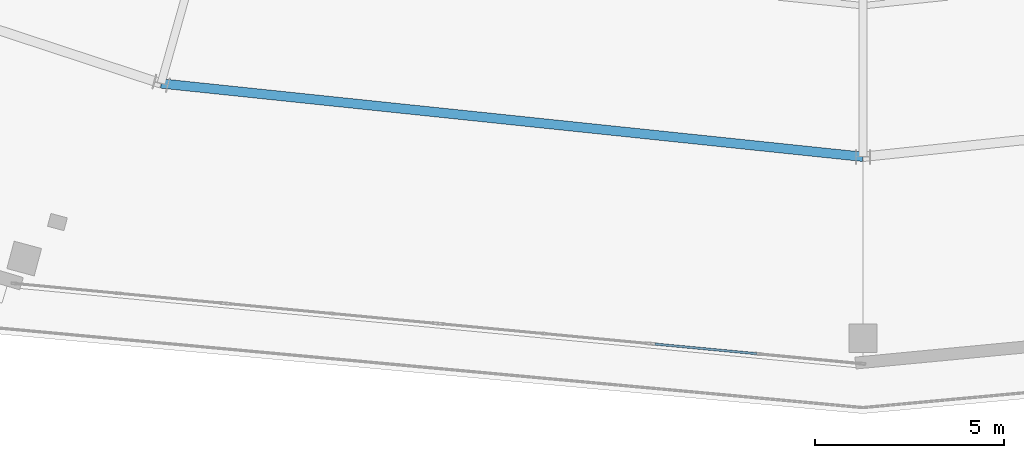
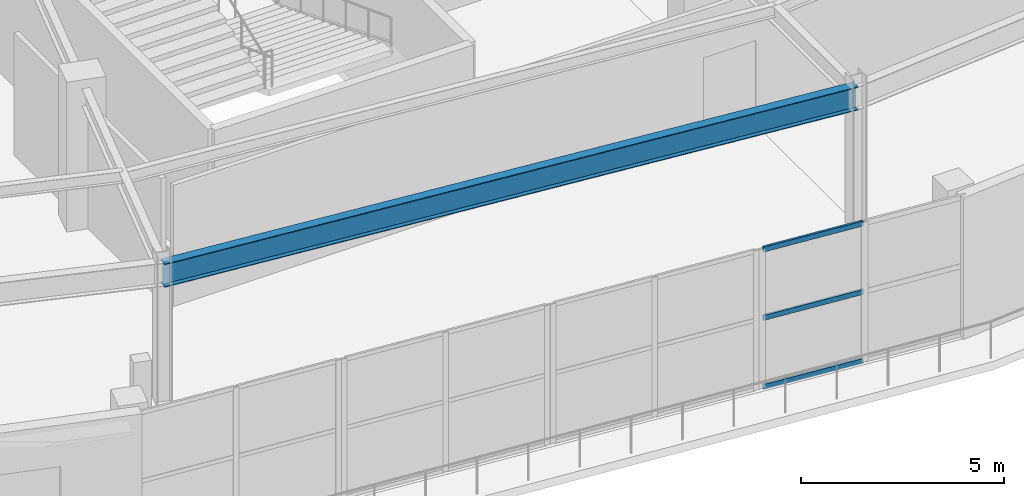
# One storey, part 23 of 107: 3 members, 1 beam, 1 element without a shape of its own.
"""IFC4 building model written with IfcOpenShell, lengths in metres."""

from ifc_helpers import new_model, si_unit, direction, frame, origin, origin_2d, place, context, subcontext, project, spatial, hollow_rectangle, i_section, extrude, material, layer, layer_set, material_profile, profile_set, type_object, element, aggregate, save


model = new_model("IFC4")

# Units and contexts
model_context = context("Model", 3, precision=1e-05, world=origin(), true_north=direction((0.0, 1.0)))
body_context = subcontext(model_context, "Body", "Model", "MODEL_VIEW")
ifc_project = project(units=[si_unit("LENGTHUNIT", "METRE"), si_unit("AREAUNIT", "SQUARE_METRE"), si_unit("VOLUMEUNIT", "CUBIC_METRE"), si_unit("PLANEANGLEUNIT", "RADIAN"), si_unit("MASSUNIT", "GRAM", prefix="KILO")], contexts=[model_context])

# Site, building, storey
site_placement = place(None, origin())
site = spatial("IfcSite", under=ifc_project, at=site_placement, CompositionType="ELEMENT")
building_placement = place(site_placement, origin())
building = spatial("IfcBuilding", under=site, at=building_placement, Name="Kalgoora Escarpment Arena", CompositionType="ELEMENT")
storey_placement = place(building_placement, frame((0.0, 0.0, 5.39990234375)))
storey = spatial("IfcBuildingStorey", under=building, at=storey_placement, Name="L01", CompositionType="ELEMENT", Elevation=5.39990234375)

# Beam
ifc_material_1 = material(Name="Structural steel AS/NZS 3679 (300 MPa)", Category="steel")
ifc_material_profile_1 = material_profile(ifc_material_1, i_section(OverallWidth=0.25, OverallDepth=0.699951171875, WebThickness=0.010009765625, FlangeThickness=0.02001953125, at=origin_2d()))
ifc_profile_set_1 = profile_set([ifc_material_profile_1], Name="Structural steel AS/NZS 3679 (300 MPa)")
beam_type = type_object("IfcBeamType", Name="BM-SPANDREL-700WB130", PredefinedType="SPANDREL", material=ifc_profile_set_1)
beam_placement = place(storey_placement, frame((73.81689453125, 8.942138671875, 3.85009765625), z_axis=(0.994583005347, -0.103945396599, 0.0), x_axis=(0.103945396599, 0.994583005347, 0.0)))
element("IfcBeam", 1, at=beam_placement, inside=storey, type_object=beam_type, Name="L01 Circumferential concourse girder RCONC2 700WB130", PredefinedType="SPANDREL", context=body_context, shape_type="SweptSolid", body=[
    extrude(i_section(OverallWidth=0.25, OverallDepth=0.699951171875, WebThickness=0.010009765625, FlangeThickness=0.02001953125, at=origin_2d()), origin(), (0.0, 0.0, 1.0), 18.684326171875),
])

# Curtain wall, members
ifc_material_2 = material(Name=" Champagne anodised aluminium & double-glazed low-E", Category="aluminium")
ifc_layer = layer(ifc_material_2, 0.14990234375)
ifc_layer_set = layer_set([ifc_layer], Name="CW-UNIT-10")
curtain_wall_type = type_object("IfcCurtainWallType", Name="CW-UNIT-10", PredefinedType="NOTDEFINED", material=ifc_layer_set)
curtain_wall_placement = place(storey_placement, origin())
curtain_wall = element("IfcCurtainWall", 2, at=curtain_wall_placement, inside=storey, type_object=curtain_wall_type, Name="L01 unitised facade curtain wall 009", PredefinedType="NOTDEFINED")
ifc_material_3 = material(Name="Anodised aluminium 6063-T6", Category="aluminium")
ifc_material_profile_2 = material_profile(ifc_material_3, hollow_rectangle(XDim=0.06005859375, YDim=0.14990234375, WallThickness=0.00341796875, at=origin_2d()))
ifc_profile_set_2 = profile_set([ifc_material_profile_2], Name="Anodised aluminium 6063-T6")
member_type = type_object("IfcMemberType", Name="MEM-CW-TRAN-150", PredefinedType="USERDEFINED", material=ifc_profile_set_2)
member_1_placement = place(storey_placement, frame((89.589111328125, 1.786865234375, 0.050048828125), z_axis=(-0.995541199062, 0.094327731709, 0.0), x_axis=(-0.094327731709, -0.995541199062, 0.0)))
member_1 = element("IfcMember", 3, at=member_1_placement, type_object=member_type, Name="CW-10 transom 2.1", ObjectType="TRANSOM", PredefinedType="USERDEFINED", context=body_context, shape_type="SweptSolid", body=[
    extrude(hollow_rectangle(XDim=0.06005859375, YDim=0.14990234375, WallThickness=0.00341796875, at=origin_2d()), origin(), (0.0, 0.0, 1.0), 2.70458984375),
])
member_2_placement = place(storey_placement, frame((89.589111328125, 1.786865234375, 2.125), z_axis=(-0.995541199062, 0.094327731709, 0.0), x_axis=(-0.094327731709, -0.995541199062, 0.0)))
member_2 = element("IfcMember", 4, at=member_2_placement, type_object=member_type, Name="CW-10 transom 2.2", ObjectType="TRANSOM", PredefinedType="USERDEFINED", context=body_context, shape_type="SweptSolid", body=[
    extrude(hollow_rectangle(XDim=0.06005859375, YDim=0.14990234375, WallThickness=0.00341796875, at=origin_2d()), origin(), (0.0, 0.0, 1.0), 2.70458984375),
])
member_3_placement = place(storey_placement, frame((89.589111328125, 1.786865234375, 4.18017578125), z_axis=(-0.995541199062, 0.094327731709, 0.0), x_axis=(-0.094327731709, -0.995541199062, 0.0)))
member_3 = element("IfcMember", 5, at=member_3_placement, type_object=member_type, Name="CW-10 transom 2.3", ObjectType="TRANSOM", PredefinedType="USERDEFINED", context=body_context, shape_type="SweptSolid", body=[
    extrude(hollow_rectangle(XDim=0.06005859375, YDim=0.14990234375, WallThickness=0.00341796875, at=origin_2d()), origin(), (0.0, 0.0, 1.0), 2.70458984375),
])
aggregate(curtain_wall, [member_1, member_2, member_3])

save(model, "model.ifc")
